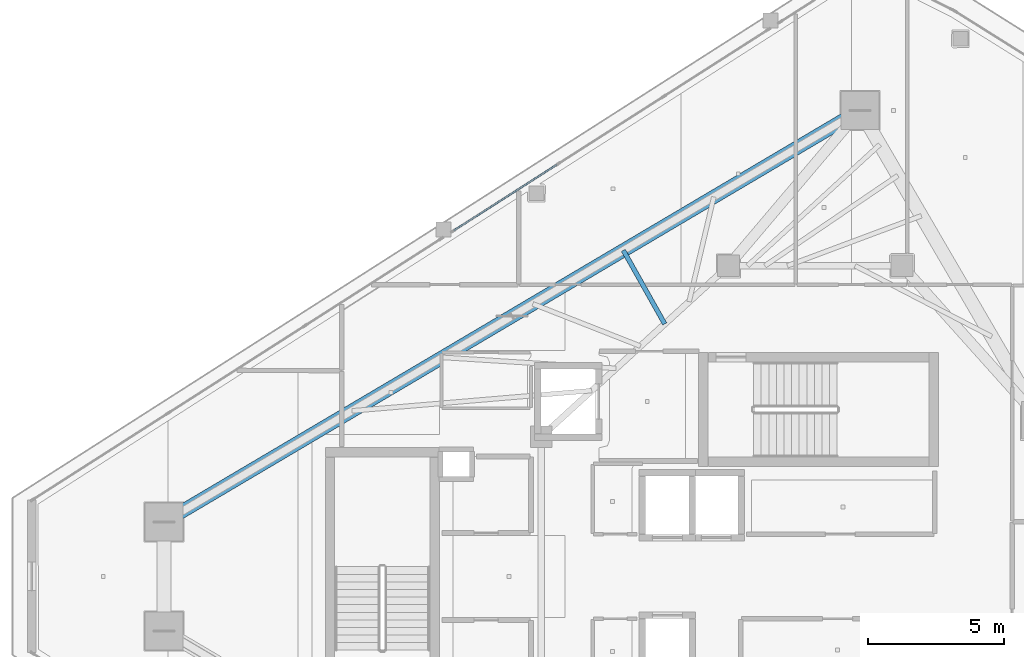
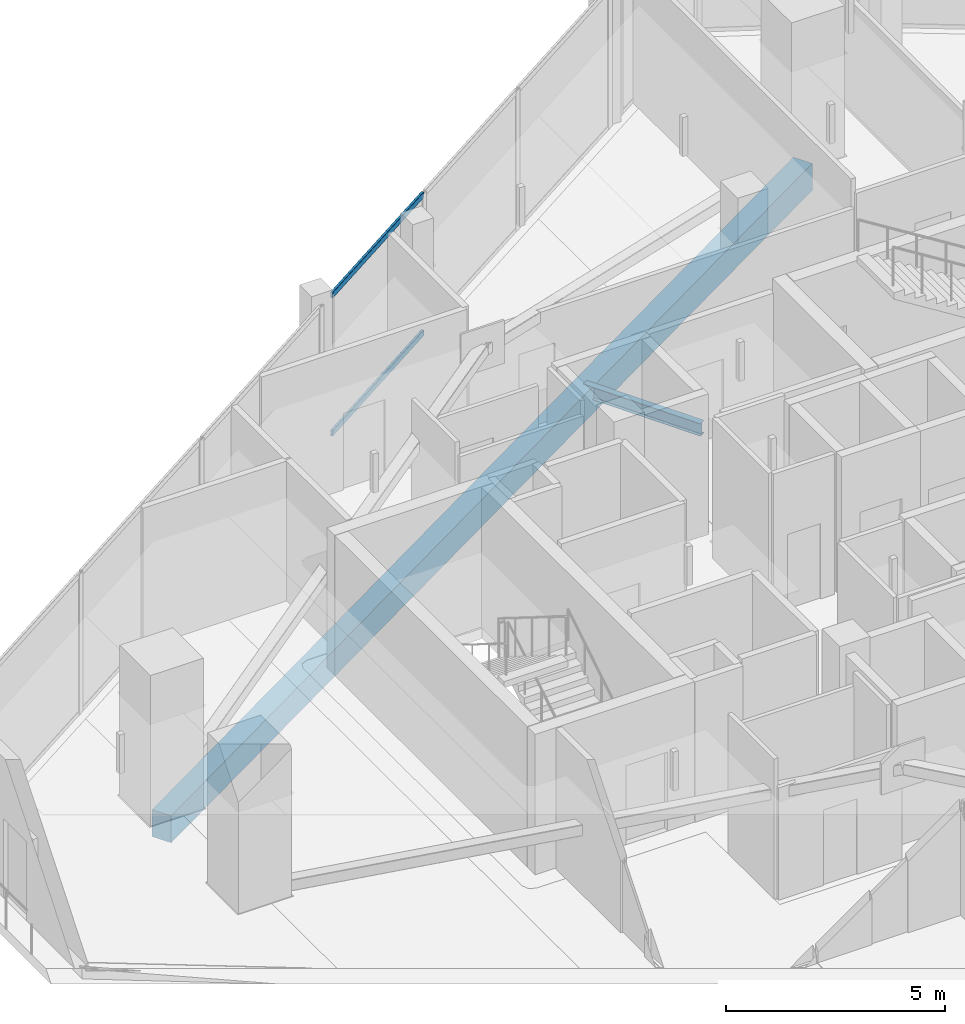
# One storey, part 15 of 30: 2 beams, 2 members, 1 element without a shape of its own.
"""IFC4 building model written with IfcOpenShell, lengths in metres."""

from ifc_helpers import new_model, si_unit, direction, frame, origin, origin_2d, place, context, subcontext, project, spatial, rectangle, hollow_rectangle, i_section, extrude, material, layer, layer_set, material_profile, profile_set, type_object, element, aggregate, save


model = new_model("IFC4")

# Units and contexts
model_context = context("Model", 3, precision=1e-05, world=origin(), true_north=direction((0.0, 1.0)))
body_context = subcontext(model_context, "Body", "Model", "MODEL_VIEW")
ifc_project = project(units=[si_unit("LENGTHUNIT", "METRE"), si_unit("AREAUNIT", "SQUARE_METRE"), si_unit("VOLUMEUNIT", "CUBIC_METRE"), si_unit("PLANEANGLEUNIT", "RADIAN"), si_unit("MASSUNIT", "GRAM", prefix="KILO")], contexts=[model_context])

# Site, building, storey
site_placement = place(None, origin())
site = spatial("IfcSite", under=ifc_project, at=site_placement, CompositionType="ELEMENT")
building_placement = place(site_placement, origin())
building = spatial("IfcBuilding", under=site, at=building_placement, Name="Qorvath Tower", CompositionType="ELEMENT")
storey_placement = place(building_placement, frame((0.0, 0.0, 301.800048828125)))
storey = spatial("IfcBuildingStorey", under=building, at=storey_placement, Name="L70", CompositionType="ELEMENT", Elevation=301.800048828125)

# Beams
ifc_material_1 = material(Name="Steel ASTM A992 Grade 50", Category="steel")
ifc_material_profile_1 = material_profile(ifc_material_1, i_section(OverallWidth=0.1708984375, OverallDepth=0.35107421875, WebThickness=0.0068359375, FlangeThickness=0.009765625, FilletRadius=0.010009765625, at=origin_2d()), Name="W14x30")
ifc_profile_set_1 = profile_set([ifc_material_profile_1], Name="Steel ASTM A992 Grade 50")
beam_type_1 = type_object("IfcBeamType", Name="BM-FJ4", PredefinedType="JOIST", material=ifc_profile_set_1)
beam_1_placement = place(storey_placement, frame((-25.946044921875, 9.30810546875, -0.465576171875), z_axis=(-0.490626385489, 0.871370041866, 0.0), x_axis=(-0.871370041866, -0.490626385489, 0.0)))
element("IfcBeam", 1, at=beam_1_placement, inside=storey, type_object=beam_type_1, Name="Composite Floor Joist NW5 L70", PredefinedType="JOIST", context=body_context, shape_type="SweptSolid", body=[
    extrude(i_section(OverallWidth=0.1708984375, OverallDepth=0.35107421875, WebThickness=0.0068359375, FlangeThickness=0.009765625, FilletRadius=0.010009765625, at=origin_2d()), origin(), (0.0, 0.0, 1.0), 3.110595703125),
])
ifc_material_2 = material(Name="Concrete C45/55", Category="concrete")
ifc_material_profile_2 = material_profile(ifc_material_2, rectangle(XDim=0.5, YDim=0.75, at=origin_2d()), Name="RCB 750x500")
ifc_profile_set_2 = profile_set([ifc_material_profile_2], Name="Concrete C45/55")
beam_type_2 = type_object("IfcBeamType", Name="BM-RCB3", PredefinedType="SPANDREL", material=ifc_profile_set_2)
beam_2_placement = place(storey_placement, frame((-18.75048828125, 17.175537109375, -0.6650390625), z_axis=(-0.860780849348, -0.508975765038, 0.0), x_axis=(0.508975765038, -0.860780849348, 0.0)))
element("IfcBeam", 2, at=beam_2_placement, inside=storey, type_object=beam_type_2, Name="Perimeter Loggia Frame Beam MC6-MC1 L70", PredefinedType="SPANDREL", context=body_context, shape_type="SweptSolid", body=[
    extrude(rectangle(XDim=0.5, YDim=0.75, at=origin_2d()), origin(), (0.0, 0.0, 1.0), 29.801025390625),
])

# Curtain wall, members
ifc_material_3 = material(Name="Anodised aluminium and triple low-E glass", Category="aluminium")
ifc_layer = layer(ifc_material_3, 0.179931640625)
ifc_layer_set = layer_set([ifc_layer], Name="CW-SYS-4")
curtain_wall_type = type_object("IfcCurtainWallType", Name="CW-SYS-4", PredefinedType="NOTDEFINED", material=ifc_layer_set)
curtain_wall_placement = place(storey_placement, origin())
curtain_wall = element("IfcCurtainWall", 3, at=curtain_wall_placement, inside=storey, type_object=curtain_wall_type, Name="Curtain Wall CW-4 CW-T-L70-16.2", PredefinedType="NOTDEFINED")
ifc_material_4 = material(Name="Anodised aluminium 6063-T6", Category="aluminium")
ifc_material_profile_3 = material_profile(ifc_material_4, hollow_rectangle(XDim=0.06494140625, YDim=0.159912109375, WallThickness=0.00341796875, InnerFilletRadius=0.00341796875, OuterFilletRadius=0.007080078125, at=origin_2d()), Name="CWT 160x65")
ifc_profile_set_3 = profile_set([ifc_material_profile_3], Name="Anodised aluminium 6063-T6")
member_type = type_object("IfcMemberType", Name="CWT-160", PredefinedType="USERDEFINED", material=ifc_profile_set_3)
member_1_placement = place(storey_placement, frame((-29.923095703125, 15.1787109375, 0.032470703125), z_axis=(-0.84258702257, -0.538560218913, 0.0), x_axis=(0.538560218913, -0.84258702257, 0.0)))
member_1 = element("IfcMember", 4, at=member_1_placement, type_object=member_type, Name="CW-4 transom 3.1", ObjectType="TRANSOM", PredefinedType="USERDEFINED", context=body_context, shape_type="SweptSolid", body=[
    extrude(hollow_rectangle(XDim=0.06494140625, YDim=0.159912109375, WallThickness=0.00341796875, InnerFilletRadius=0.00341796875, OuterFilletRadius=0.007080078125, at=origin_2d()), origin(), (0.0, 0.0, 1.0), 4.50732421875),
])
member_2_placement = place(storey_placement, frame((-29.923095703125, 15.1787109375, 3.87744140625), z_axis=(-0.84258702257, -0.538560218913, 0.0), x_axis=(0.538560218913, -0.84258702257, 0.0)))
member_2 = element("IfcMember", 5, at=member_2_placement, type_object=member_type, Name="CW-4 transom 3.2", ObjectType="TRANSOM", PredefinedType="USERDEFINED", context=body_context, shape_type="SweptSolid", body=[
    extrude(hollow_rectangle(XDim=0.06494140625, YDim=0.159912109375, WallThickness=0.00341796875, InnerFilletRadius=0.00341796875, OuterFilletRadius=0.007080078125, at=origin_2d()), origin(), (0.0, 0.0, 1.0), 4.50732421875),
])
aggregate(curtain_wall, [member_1, member_2])

save(model, "model.ifc")
